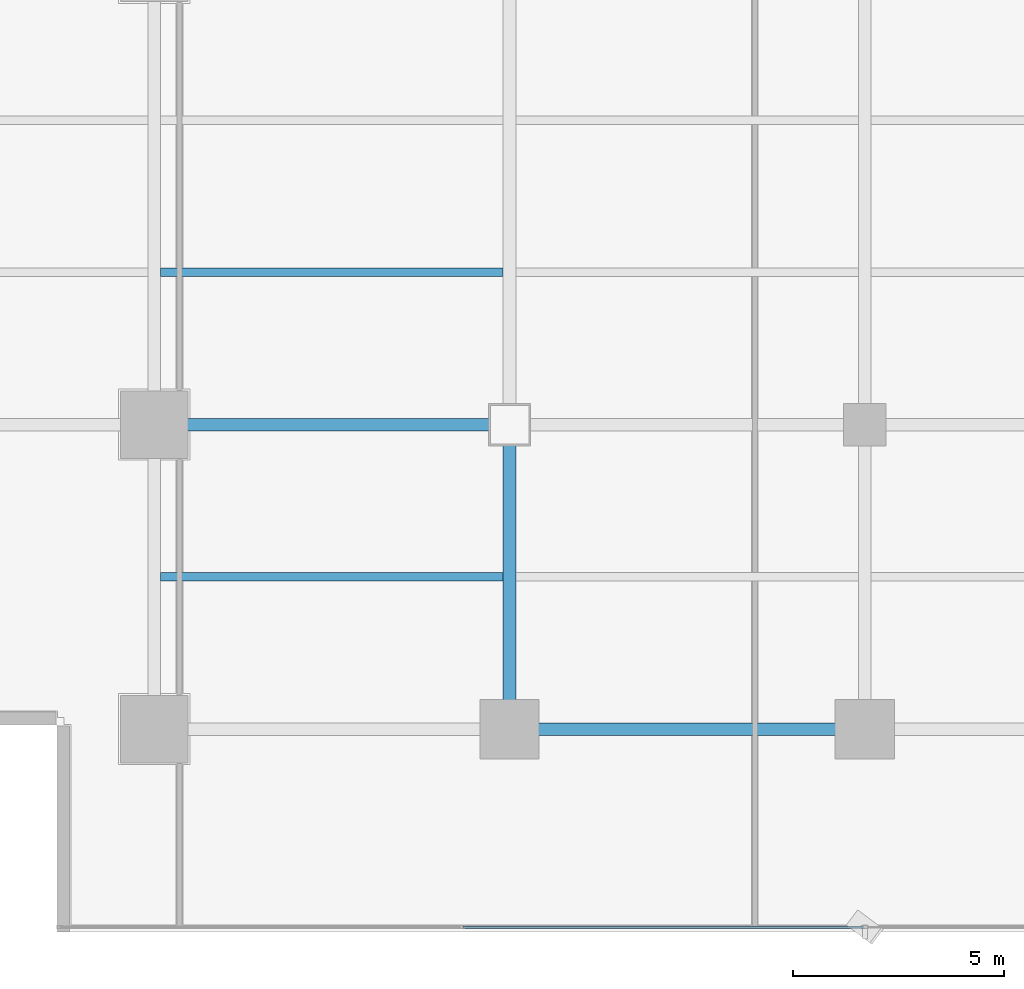
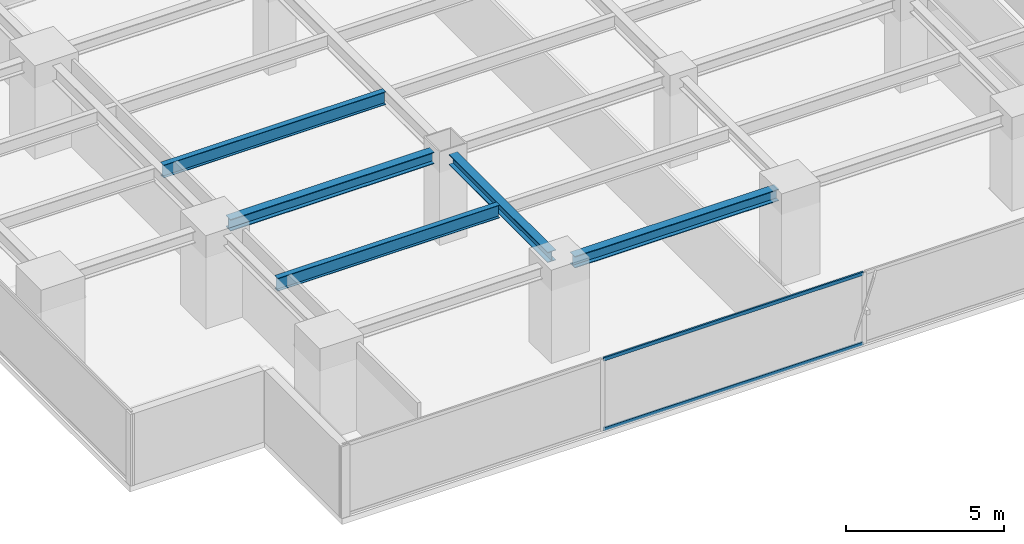
# One storey, part 4 of 27: 5 beams, 2 members, 1 element without a shape of its own.
"""IFC4 building model written with IfcOpenShell, lengths in metres."""

from ifc_helpers import new_model, si_unit, direction, frame, origin, origin_2d, place, context, subcontext, project, spatial, hollow_rectangle, i_section, extrude, source, transform, mapped, material, layer, layer_set, material_profile, profile_set, type_object, element, aggregate, save


model = new_model("IFC4")

# Units and contexts
model_context = context("Model", 3, precision=1e-05, world=origin(), true_north=direction((0.0, 1.0)))
body_context = subcontext(model_context, "Body", "Model", "MODEL_VIEW")
ifc_project = project(units=[si_unit("LENGTHUNIT", "METRE"), si_unit("AREAUNIT", "SQUARE_METRE"), si_unit("VOLUMEUNIT", "CUBIC_METRE"), si_unit("PLANEANGLEUNIT", "RADIAN"), si_unit("MASSUNIT", "GRAM", prefix="KILO")], contexts=[model_context])

# Site, building, storey
site_placement = place(None, origin())
site = spatial("IfcSite", under=ifc_project, at=site_placement, CompositionType="ELEMENT")
building_placement = place(site_placement, origin())
building = spatial("IfcBuilding", under=site, at=building_placement, Name="Sumidabori Civic Tower", CompositionType="ELEMENT")
storey_placement = place(building_placement, frame((0.0, 0.0, 135.199951171875)))
storey = spatial("IfcBuildingStorey", under=building, at=storey_placement, Name="L34", CompositionType="ELEMENT", Elevation=135.199951171875)

# Beams
ifc_material_1 = material(Name="Steel SN490", Category="steel")
ifc_material_profile_1 = material_profile(ifc_material_1, i_section(OverallWidth=0.300048828125, OverallDepth=0.39990234375, WebThickness=0.013427734375, FlangeThickness=0.02392578125, at=origin_2d()), Name="HE 400 B")
ifc_profile_set_1 = profile_set([ifc_material_profile_1], Name="Steel SN490")
beam_type_1 = type_object("IfcBeamType", Name="BM-GIRD-400", PredefinedType="BEAM", material=ifc_profile_set_1)
shared_shape_1 = source(origin(), body_context, "Body", "SweptSolid", [
    extrude(i_section(OverallWidth=0.300048828125, OverallDepth=0.39990234375, WebThickness=0.013427734375, FlangeThickness=0.02392578125, at=origin_2d()), origin(), (0.0, 0.0, 1.0), 6.239990234375),
])
beam_1_placement = place(storey_placement, frame((-8.39990234375, -17.52001953125, 3.179931640625), z_axis=(0.0, 1.0, 0.0), x_axis=(-1.0, 0.0, 0.0)))
element("IfcBeam", 1, at=beam_1_placement, inside=storey, type_object=beam_type_1, Name="Primary Girder L34 GY-26", PredefinedType="BEAM", context=body_context, shape_type="MappedRepresentation", body=[
    mapped(shared_shape_1, transform((0.0, 0.0, 0.0), x_axis=(1.0, 0.0, 0.0), y_axis=(0.0, 1.0, 0.0), z_axis=(0.0, 0.0, 1.0), scale=1.0)),
])
ifc_material_profile_2 = material_profile(ifc_material_1, i_section(OverallWidth=0.199951171875, OverallDepth=0.5, WebThickness=0.01025390625, FlangeThickness=0.01611328125, at=origin_2d()), Name="IPE 500")
ifc_profile_set_2 = profile_set([ifc_material_profile_2], Name="Steel SN490")
beam_type_2 = type_object("IfcBeamType", Name="BM-JST-500", PredefinedType="JOIST", material=ifc_profile_set_2)
shared_shape_2 = source(origin(), body_context, "Body", "SweptSolid", [
    extrude(i_section(OverallWidth=0.199951171875, OverallDepth=0.5, WebThickness=0.01025390625, FlangeThickness=0.01611328125, at=origin_2d()), origin(), (0.0, 0.0, 1.0), 8.099853515625),
])
for number, where, z_axis, x_axis, name in (
    (2, (-16.64990234375, -14.39990234375, 3.130126953125), (1.0, 0.0, 0.0), (0.0, 1.0, 0.0), "South Bay Floor Joist L34 JSTS-49"),
    (3, (-16.64990234375, -7.199951171875, 3.130126953125), (1.0, 0.0, 0.0), (0.0, 1.0, 0.0), "South Bay Floor Joist L34 JSTS-53"),
):
    element("IfcBeam", number, at=place(storey_placement, frame(where, z_axis=z_axis, x_axis=x_axis)), inside=storey, type_object=beam_type_2, Name=name, PredefinedType="JOIST", context=body_context, shape_type="MappedRepresentation", body=[
        mapped(shared_shape_2, transform((0.0, 0.0, 0.0), x_axis=(1.0, 0.0, 0.0), y_axis=(0.0, 1.0, 0.0), z_axis=(0.0, 0.0, 1.0), scale=1.0)),
    ])
ifc_material_profile_3 = material_profile(ifc_material_1, i_section(OverallWidth=0.300048828125, OverallDepth=0.449951171875, WebThickness=0.013916015625, FlangeThickness=0.02587890625, at=origin_2d()), Name="HE 450 B")
ifc_profile_set_3 = profile_set([ifc_material_profile_3], Name="Steel SN490")
beam_type_3 = type_object("IfcBeamType", Name="BM-GIRD-450", PredefinedType="BEAM", material=ifc_profile_set_3)
shared_shape_3 = source(origin(), body_context, "Body", "SweptSolid", [
    extrude(i_section(OverallWidth=0.300048828125, OverallDepth=0.449951171875, WebThickness=0.013916015625, FlangeThickness=0.02587890625, at=origin_2d()), origin(), (0.0, 0.0, 1.0), 7.440185546875),
])
beam_2_placement = place(storey_placement, frame((-16.320068359375, -10.800048828125, 3.155029296875), z_axis=(1.0, 0.0, 0.0), x_axis=(0.0, 1.0, 0.0)))
element("IfcBeam", 4, at=beam_2_placement, inside=storey, type_object=beam_type_3, Name="Primary Girder L34 GX-06", PredefinedType="BEAM", context=body_context, shape_type="MappedRepresentation", body=[
    mapped(shared_shape_3, transform((0.0, 0.0, 0.0), x_axis=(1.0, 0.0, 0.0), y_axis=(0.0, 1.0, 0.0), z_axis=(0.0, 0.0, 1.0), scale=1.0)),
])
shared_shape_4 = source(origin(), body_context, "Body", "SweptSolid", [
    extrude(i_section(OverallWidth=0.300048828125, OverallDepth=0.449951171875, WebThickness=0.013916015625, FlangeThickness=0.02587890625, at=origin_2d()), origin(), (0.0, 0.0, 1.0), 7.43994140625),
])
beam_3_placement = place(storey_placement, frame((-7.919921875, -18.0, 3.155029296875), z_axis=(1.0, 0.0, 0.0), x_axis=(0.0, 1.0, 0.0)))
element("IfcBeam", 5, at=beam_3_placement, inside=storey, type_object=beam_type_3, Name="Primary Girder L34 GX-02", PredefinedType="BEAM", context=body_context, shape_type="MappedRepresentation", body=[
    mapped(shared_shape_4, transform((0.0, 0.0, 0.0), x_axis=(1.0, 0.0, 0.0), y_axis=(0.0, 1.0, 0.0), z_axis=(0.0, 0.0, 1.0), scale=1.0)),
])

# Curtain wall, members
ifc_material_2 = material(Name="Anodised Bronze Aluminium AW-6063-T6", Category="aluminium")
ifc_layer = layer(ifc_material_2, 0.179931640625, Name="Anodised Bronze Aluminium AW-6063-T6")
ifc_layer_set = layer_set([ifc_layer], Name="Anodised Bronze Aluminium AW-6063-T6")
curtain_wall_type = type_object("IfcCurtainWallType", Name="CW-SYS-3", PredefinedType="NOTDEFINED", material=ifc_layer_set)
curtain_wall_placement = place(storey_placement, origin())
curtain_wall = element("IfcCurtainWall", 6, at=curtain_wall_placement, inside=storey, type_object=curtain_wall_type, Name="Curtain Wall CW:L34:R01", PredefinedType="NOTDEFINED")
ifc_material_profile_4 = material_profile(ifc_material_2, hollow_rectangle(XDim=0.06005859375, YDim=0.1298828125, WallThickness=0.0048828125, at=origin_2d()), Name="ALU TRANSOM 130x60")
ifc_profile_set_4 = profile_set([ifc_material_profile_4], Name="Anodised Bronze Aluminium AW-6063-T6")
member_type = type_object("IfcMemberType", Name="CW-TRN-130", PredefinedType="USERDEFINED", material=ifc_profile_set_4)
shared_shape_5 = source(origin(), body_context, "Body", "SweptSolid", [
    extrude(hollow_rectangle(XDim=0.06005859375, YDim=0.1298828125, WallThickness=0.0048828125, at=origin_2d()), origin(), (0.0, 0.0, 1.0), 9.469970703125),
])
member_1_placement = place(storey_placement, frame((-9.50244140625, -22.679931640625, 0.030029296875), z_axis=(1.0, 0.0, 0.0), x_axis=(0.0, 1.0, 0.0)))
member_1 = element("IfcMember", 7, at=member_1_placement, type_object=member_type, Name="CW-3 transom 2.1", ObjectType="TRANSOM", PredefinedType="USERDEFINED", context=body_context, shape_type="MappedRepresentation", body=[
    mapped(shared_shape_5, transform((0.0, 0.0, 0.0), x_axis=(1.0, 0.0, 0.0), y_axis=(0.0, 1.0, 0.0), z_axis=(0.0, 0.0, 1.0), scale=1.0)),
])
member_2_placement = place(storey_placement, frame((-9.50244140625, -22.679931640625, 2.72998046875), z_axis=(1.0, 0.0, 0.0), x_axis=(0.0, 1.0, 0.0)))
member_2 = element("IfcMember", 8, at=member_2_placement, type_object=member_type, Name="CW-3 transom 2.2", ObjectType="TRANSOM", PredefinedType="USERDEFINED", context=body_context, shape_type="MappedRepresentation", body=[
    mapped(shared_shape_5, transform((0.0, 0.0, 0.0), x_axis=(1.0, 0.0, 0.0), y_axis=(0.0, 1.0, 0.0), z_axis=(0.0, 0.0, 1.0), scale=1.0)),
])
aggregate(curtain_wall, [member_1, member_2])

save(model, "model.ifc")
